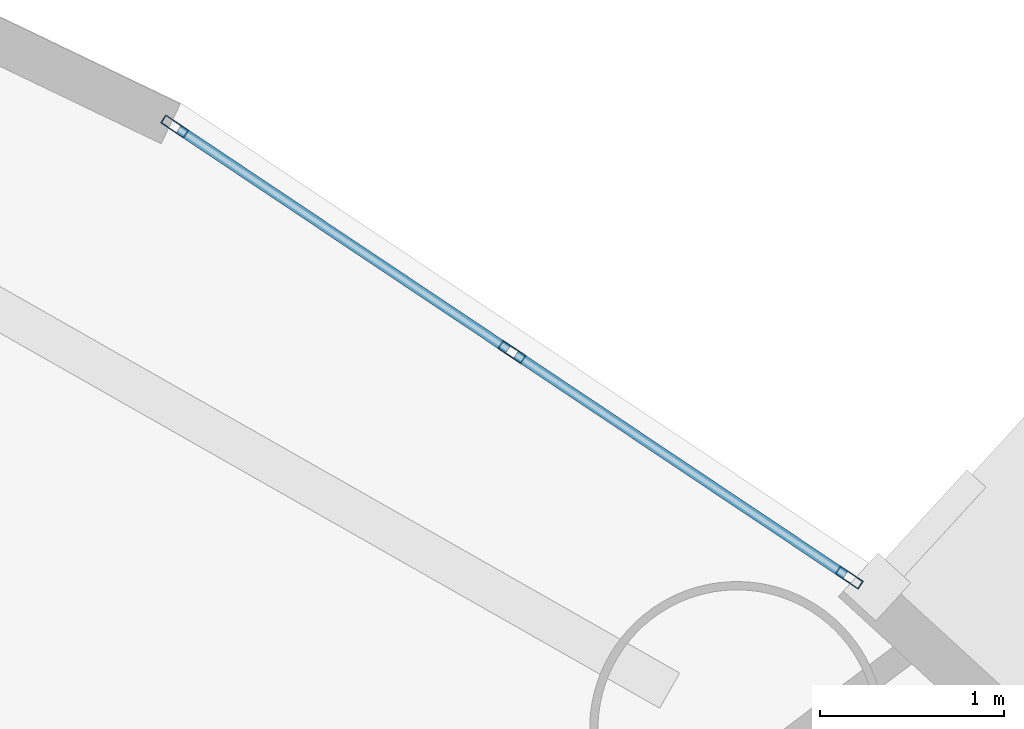
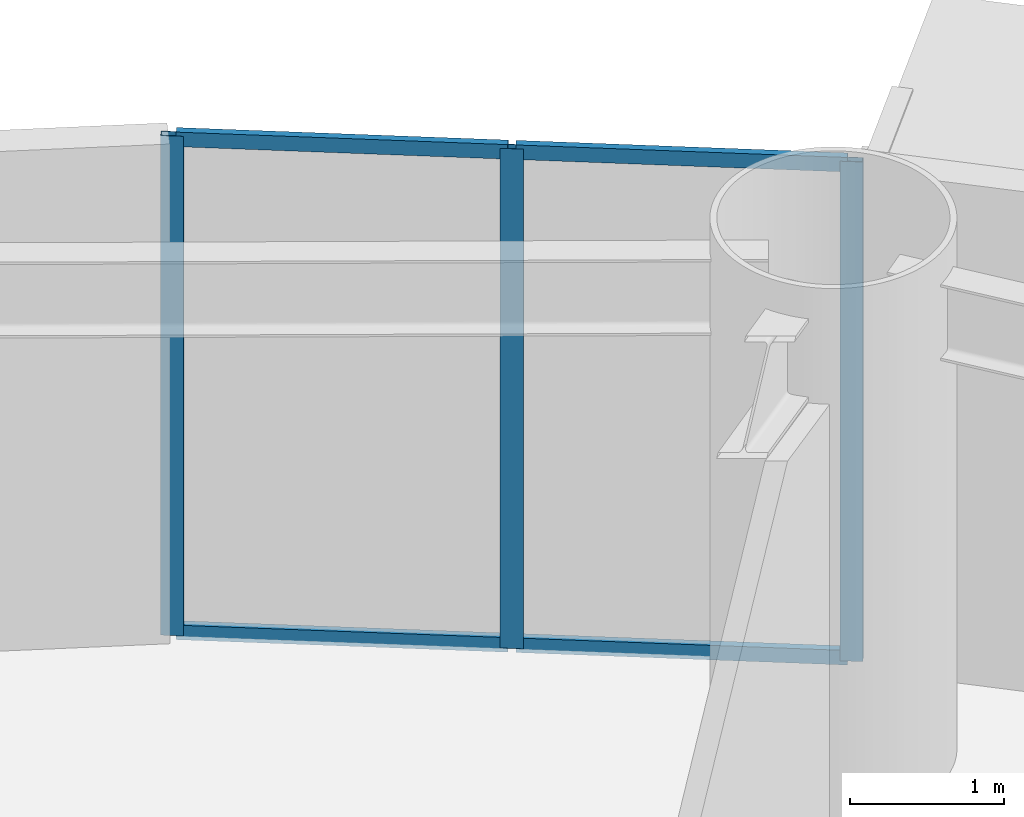
# One storey, part 5 of 24: 7 members, 1 element without a shape of its own.
"""IFC4 building model written with IfcOpenShell, lengths in metres."""

import ifcopenshell
import ifcopenshell.guid

model = None  # the IFC model being written
_history = None  # IfcOwnerHistory: only IFC2X3 demands one
_inside = {}  # id of a spatial element -> (the spatial element, [elements in it])
_under = {}  # id of a project, library or spatial element -> (it, [spatial elements below it])
_declared = {}  # id of a project -> (the project, [libraries it declares])
_typed = {}  # id of a type object -> (the type object, [elements of that type])
_made_of = {}  # id of a material, layer set ... -> (it, [elements and type objects made of it])


def new_model(schema):
    """Start an empty IFC model of exactly this schema.

    Asked for "IFC4X3", IfcOpenShell would pick the latest addendum, in which some entities
    have other attributes; the version numbers below select the first issue.
    IFC2X3 requires an IfcOwnerHistory on every rooted entity: one is made here for all.
    """
    global model, _history
    if schema == "IFC4X3":
        model = ifcopenshell.file(schema_version=(4, 3, 0, 0))
    else:
        model = ifcopenshell.file(schema=schema)
    _inside.clear()
    _under.clear()
    _declared.clear()
    _typed.clear()
    _made_of.clear()
    _history = None
    if model.schema == "IFC2X3":
        org = make("IfcOrganization", Name="unknown")
        user = make(
            "IfcPersonAndOrganization",
            ThePerson=make("IfcPerson", FamilyName="unknown"),
            TheOrganization=org,
        )
        app = make(
            "IfcApplication",
            ApplicationDeveloper=org,
            Version="unknown",
            ApplicationFullName="unknown",
            ApplicationIdentifier="unknown",
        )
        _history = make(
            "IfcOwnerHistory",
            OwningUser=user,
            OwningApplication=app,
            ChangeAction="ADDED",
            CreationDate=0,
        )
    return model


def make(cls, **values):
    """One entity of the class cls with the attributes given. An attribute that is None is left unset."""
    return model.create_entity(
        cls, **{name: value for name, value in values.items() if value is not None}
    )


def rooted(cls, **values):
    """An entity with a GlobalId (a new one), such as an element, a storey or a relation."""
    return make(cls, GlobalId=ifcopenshell.guid.new(), OwnerHistory=_history, **values)


def si_unit(unit_type, name, prefix=None):
    """IfcSIUnit, for example si_unit("LENGTHUNIT", "METRE", prefix="MILLI")."""
    return make("IfcSIUnit", UnitType=unit_type, Prefix=prefix, Name=name)


def assignment(units):
    """IfcUnitAssignment: the units of a project."""
    return None if units is None else make("IfcUnitAssignment", Units=units)


def point(xyz):
    """IfcCartesianPoint."""
    return None if xyz is None else make("IfcCartesianPoint", Coordinates=xyz)


def direction(xyz):
    """IfcDirection."""
    return None if xyz is None else make("IfcDirection", DirectionRatios=xyz)


def frame(location, z_axis=None, x_axis=None):
    """IfcAxis2Placement3D, a coordinate frame: its origin and axes. An axis left out is left unset."""
    return make(
        "IfcAxis2Placement3D",
        Location=point(location),
        Axis=direction(z_axis),
        RefDirection=direction(x_axis),
    )


def frame_2d(location, x_axis=None):
    """IfcAxis2Placement2D, a coordinate frame in the plane: its origin and x axis."""
    return make(
        "IfcAxis2Placement2D", Location=point(location), RefDirection=direction(x_axis)
    )


def origin():
    """The frame at (0, 0, 0) with its axes left unset."""
    return frame((0.0, 0.0, 0.0))


def origin_2d():
    """The frame at (0, 0) in the plane with its x axis left unset."""
    return frame_2d((0.0, 0.0))


def place(relative_to, where):
    """IfcLocalPlacement: puts the frame where relative to a parent placement (None: the world)."""
    return make(
        "IfcLocalPlacement", PlacementRelTo=relative_to, RelativePlacement=where
    )


def context(
    kind, dimensions, precision=None, world=None, true_north=None, identifier=None
):
    """IfcGeometricRepresentationContext, for example the 3D "Model" context."""
    return make(
        "IfcGeometricRepresentationContext",
        ContextIdentifier=identifier,
        ContextType=kind,
        CoordinateSpaceDimension=dimensions,
        Precision=precision,
        WorldCoordinateSystem=world,
        TrueNorth=true_north,
    )


def subcontext(parent, identifier, kind, view, scale=None):
    """IfcGeometricRepresentationSubContext, for example "Body" below "Model"."""
    return make(
        "IfcGeometricRepresentationSubContext",
        ContextIdentifier=identifier,
        ContextType=kind,
        ParentContext=parent,
        TargetScale=scale,
        TargetView=view,
    )


def project(units=None, contexts=None):
    """IfcProject with its units and contexts."""
    return rooted(
        "IfcProject",
        Name="project",
        RepresentationContexts=contexts,
        UnitsInContext=assignment(units),
    )


def spatial(cls, under=None, at=None, **own):
    """A site, building, storey or space (cls), placed at a placement, below another one or the project."""
    s = rooted(cls, ObjectPlacement=at, **own)
    if under is not None:
        _under.setdefault(under.id(), (under, []))[1].append(s)
    return s


def profile(cls, at=None, kind="AREA", **sizes):
    """A parametric profile (cls). Its sizes go by their IFC names, for example OverallWidth=200.0."""
    return make(cls, ProfileType=kind, Position=at, **sizes)


def hollow_rectangle(**sizes):
    """IfcRectangleHollowProfileDef."""
    return profile("IfcRectangleHollowProfileDef", **sizes)


def extrude(swept, where, along, depth):
    """IfcExtrudedAreaSolid: the profile swept, set in the frame where, extruded along a direction by depth."""
    return make(
        "IfcExtrudedAreaSolid",
        SweptArea=swept,
        Position=where,
        ExtrudedDirection=direction(along),
        Depth=depth,
    )


def shape(context_of_items, identifier, shape_type, items):
    """IfcShapeRepresentation: the items that make up one representation, for example the "Body"."""
    return make(
        "IfcShapeRepresentation",
        ContextOfItems=context_of_items,
        RepresentationIdentifier=identifier,
        RepresentationType=shape_type,
        Items=items,
    )


def source(mapping_origin, context_of_items, identifier, shape_type, items):
    """IfcRepresentationMap: a shape defined once, which mapped items show again and again."""
    return make(
        "IfcRepresentationMap",
        MappingOrigin=mapping_origin,
        MappedRepresentation=shape(context_of_items, identifier, shape_type, items),
    )


def transform(
    local_origin,
    x_axis=None,
    y_axis=None,
    z_axis=None,
    scale=None,
    scale2=None,
    scale3=None,
    uniform=True,
):
    """IfcCartesianTransformationOperator3D, or its non-uniform kind. x_axis, y_axis, z_axis: its Axis1, 2, 3."""
    if uniform:
        return make(
            "IfcCartesianTransformationOperator3D",
            Axis1=direction(x_axis),
            Axis2=direction(y_axis),
            LocalOrigin=point(local_origin),
            Scale=scale,
            Axis3=direction(z_axis),
        )
    return make(
        "IfcCartesianTransformationOperator3DnonUniform",
        Axis1=direction(x_axis),
        Axis2=direction(y_axis),
        LocalOrigin=point(local_origin),
        Scale=scale,
        Axis3=direction(z_axis),
        Scale2=scale2,
        Scale3=scale3,
    )


def mapped(mapping_source, mapping_target):
    """IfcMappedItem: shows the shape of a source again, moved by a transform."""
    return make(
        "IfcMappedItem", MappingSource=mapping_source, MappingTarget=mapping_target
    )


def material(Name=None, Category=None):
    """IfcMaterial."""
    return make("IfcMaterial", Name=Name, Category=Category)


def layer(
    of_material, thickness, ventilated=None, Name=None, Category=None, Priority=None
):
    """IfcMaterialLayer: one layer of a wall or slab, of a material (None: an air gap)."""
    return make(
        "IfcMaterialLayer",
        Material=of_material,
        LayerThickness=thickness,
        IsVentilated=ventilated,
        Name=Name,
        Category=Category,
        Priority=Priority,
    )


def layer_set(layers, Name=None):
    """IfcMaterialLayerSet."""
    return make("IfcMaterialLayerSet", MaterialLayers=layers, LayerSetName=Name)


def material_profile(
    of_material, cross_section, Name=None, Category=None, Priority=None
):
    """IfcMaterialProfile: a cross section and its material."""
    return make(
        "IfcMaterialProfile",
        Name=Name,
        Material=of_material,
        Profile=cross_section,
        Priority=Priority,
        Category=Category,
    )


def profile_set(profiles, Name=None, composite=None):
    """IfcMaterialProfileSet."""
    return make(
        "IfcMaterialProfileSet",
        Name=Name,
        MaterialProfiles=profiles,
        CompositeProfile=composite,
    )


def made_of(thing, what):
    """Note that an element or type object is made of a material, layer set ...; save() writes the relation."""
    if what is not None:
        _made_of.setdefault(what.id(), (what, []))[1].append(thing)
    return thing


def type_object(cls, material=None, **own):
    """A type object (cls), such as IfcWallType, which elements share."""
    return made_of(rooted(cls, **own), material)


def element(
    cls,
    number,
    at=None,
    inside=None,
    cuts=None,
    type_object=None,
    material=None,
    context=None,
    identifier="Body",
    shape_type=None,
    held_by="IfcProductDefinitionShape",
    body=None,
    shapes=None,
    **own,
):
    """One element of the class cls, such as IfcWall. Its Tag is "e" and its number.

    at: its placement. inside: the storey or other place that contains it. cuts: it is an
    opening in that element (IfcRelVoidsElement). A single representation is given by context,
    identifier, shape_type and body (its items); several are given by shapes. held_by: the class
    of the entity that holds the representations. save() writes the other relations.
    """
    e = rooted(cls, Tag="e%d" % number, ObjectPlacement=at, **own)
    if body is not None:
        shapes = [shape(context, identifier, shape_type, body)]
    if shapes is not None:
        e.Representation = make(held_by, Representations=shapes)
    if inside is not None:
        _inside.setdefault(inside.id(), (inside, []))[1].append(e)
    if cuts is not None:
        rooted(
            "IfcRelVoidsElement", RelatingBuildingElement=cuts, RelatedOpeningElement=e
        )
    if type_object is not None:
        _typed.setdefault(type_object.id(), (type_object, []))[1].append(e)
    return made_of(e, material)


def aggregate(whole, parts):
    """IfcRelAggregates: a whole, such as a stair, and the parts it consists of."""
    return rooted("IfcRelAggregates", RelatingObject=whole, RelatedObjects=parts)


def save(model, path):
    """Write the relations noted so far, then the file.

    IfcRelAggregates (storeys below a building ...), IfcRelContainedInSpatialStructure (elements
    in a storey), IfcRelDefinesByType, IfcRelAssociatesMaterial and IfcRelDeclares: one each for
    every whole, place, type object, material and project.
    """
    for whole, parts in _under.values():
        aggregate(whole, parts)
    for where, things in _inside.values():
        rooted(
            "IfcRelContainedInSpatialStructure",
            RelatedElements=things,
            RelatingStructure=where,
        )
    for kind, things in _typed.values():
        rooted("IfcRelDefinesByType", RelatedObjects=things, RelatingType=kind)
    for what, things in _made_of.values():
        rooted("IfcRelAssociatesMaterial", RelatedObjects=things, RelatingMaterial=what)
    for by, libraries in _declared.values():
        rooted("IfcRelDeclares", RelatingContext=by, RelatedDefinitions=libraries)
    model.write(path)


model = new_model("IFC4")

# Units and contexts
model_context = context("Model", 3, precision=1e-05, world=origin(), true_north=direction((0.0, 1.0)))
body_context = subcontext(model_context, "Body", "Model", "MODEL_VIEW")
ifc_project = project(units=[si_unit("LENGTHUNIT", "METRE"), si_unit("AREAUNIT", "SQUARE_METRE"), si_unit("VOLUMEUNIT", "CUBIC_METRE"), si_unit("PLANEANGLEUNIT", "RADIAN"), si_unit("MASSUNIT", "GRAM", prefix="KILO")], contexts=[model_context])

# Site, building, storey
site_placement = place(None, origin())
site = spatial("IfcSite", under=ifc_project, at=site_placement, CompositionType="ELEMENT")
building_placement = place(site_placement, origin())
building = spatial("IfcBuilding", under=site, at=building_placement, Name="Linh Dai School and Residence Tower", CompositionType="ELEMENT")
storey_placement = place(building_placement, frame((0.0, 0.0, 74.39990234375)))
storey = spatial("IfcBuildingStorey", under=building, at=storey_placement, Name="L17", CompositionType="ELEMENT", Elevation=74.39990234375)

# Curtain wall, members
ifc_material_1 = material(Name="Aluminium Anodised Curtain Wall", Category="aluminium")
ifc_layer = layer(ifc_material_1, 0.14990234375)
ifc_layer_set = layer_set([ifc_layer], Name="Aluminium Anodised Curtain Wall")
curtain_wall_type = type_object("IfcCurtainWallType", Name="CW-SYS-4", PredefinedType="USERDEFINED", material=ifc_layer_set)
curtain_wall_placement = place(storey_placement, origin())
curtain_wall = element("IfcCurtainWall", 1, at=curtain_wall_placement, inside=storey, type_object=curtain_wall_type, Name="L17 CW4 Curtain Wall 06", ObjectType="RIBBON CURTAIN WALL", PredefinedType="USERDEFINED")
ifc_material_2 = material(Name="Aluminium Alloy 6063-T6", Category="aluminium")
ifc_material_profile_1 = material_profile(ifc_material_2, hollow_rectangle(XDim=0.052001953125, YDim=0.114990234375, WallThickness=0.00390625, at=origin_2d()), Name="RHS 115x52x4")
ifc_profile_set_1 = profile_set([ifc_material_profile_1], Name="Aluminium Alloy 6063-T6")
member_type_1 = type_object("IfcMemberType", Name="CW-SYS-4-TRN", PredefinedType="USERDEFINED", material=ifc_profile_set_1)
shared_shape_1 = source(origin(), body_context, "Body", "SweptSolid", [
    extrude(hollow_rectangle(XDim=0.052001953125, YDim=0.114990234375, WallThickness=0.00390625, at=origin_2d()), origin(), (0.0, 0.0, 1.0), 2.152099609375),
])
member_1_placement = place(storey_placement, frame((54.3203125, 46.626708984375, 0.026123046875), z_axis=(0.831281601732, -0.555851507708, 0.0), x_axis=(0.555851507708, 0.831281601732, 0.0)))
member_1 = element("IfcMember", 2, at=member_1_placement, type_object=member_type_1, Name="CW4 transom 1.1", ObjectType="TRANSOM", PredefinedType="USERDEFINED", context=body_context, shape_type="MappedRepresentation", body=[
    mapped(shared_shape_1, transform((0.0, 0.0, 0.0), x_axis=(1.0, 0.0, 0.0), y_axis=(0.0, 1.0, 0.0), z_axis=(0.0, 0.0, 1.0), scale=1.0)),
])
member_2_placement = place(storey_placement, frame((54.3203125, 46.626708984375, 3.924072265625), z_axis=(0.831281601732, -0.555851507708, 0.0), x_axis=(0.555851507708, 0.831281601732, 0.0)))
member_2 = element("IfcMember", 3, at=member_2_placement, type_object=member_type_1, Name="CW4 transom 1.2", ObjectType="TRANSOM", PredefinedType="USERDEFINED", context=body_context, shape_type="MappedRepresentation", body=[
    mapped(shared_shape_1, transform((0.0, 0.0, 0.0), x_axis=(1.0, 0.0, 0.0), y_axis=(0.0, 1.0, 0.0), z_axis=(0.0, 0.0, 1.0), scale=1.0)),
])
shared_shape_2 = source(origin(), body_context, "Body", "SweptSolid", [
    extrude(hollow_rectangle(XDim=0.052001953125, YDim=0.114990234375, WallThickness=0.00390625, at=origin_2d()), origin(), (0.0, 0.0, 1.0), 2.15185546875),
])
member_3_placement = place(storey_placement, frame((56.152587890625, 45.4013671875, 0.026123046875), z_axis=(0.831246547398, -0.555903928245, 0.0), x_axis=(0.555903928245, 0.831246547398, 0.0)))
member_3 = element("IfcMember", 4, at=member_3_placement, type_object=member_type_1, Name="CW4 transom 2.1", ObjectType="TRANSOM", PredefinedType="USERDEFINED", context=body_context, shape_type="MappedRepresentation", body=[
    mapped(shared_shape_2, transform((0.0, 0.0, 0.0), x_axis=(1.0, 0.0, 0.0), y_axis=(0.0, 1.0, 0.0), z_axis=(0.0, 0.0, 1.0), scale=1.0)),
])
member_4_placement = place(storey_placement, frame((56.152587890625, 45.4013671875, 3.924072265625), z_axis=(0.831246547398, -0.555903928245, 0.0), x_axis=(0.555903928245, 0.831246547398, 0.0)))
member_4 = element("IfcMember", 5, at=member_4_placement, type_object=member_type_1, Name="CW4 transom 2.2", ObjectType="TRANSOM", PredefinedType="USERDEFINED", context=body_context, shape_type="MappedRepresentation", body=[
    mapped(shared_shape_2, transform((0.0, 0.0, 0.0), x_axis=(1.0, 0.0, 0.0), y_axis=(0.0, 1.0, 0.0), z_axis=(0.0, 0.0, 1.0), scale=1.0)),
])
ifc_material_profile_2 = material_profile(ifc_material_2, hollow_rectangle(XDim=0.052001953125, YDim=0.14990234375, WallThickness=0.00390625, at=origin_2d()), Name="RHS 150x52x4")
ifc_profile_set_2 = profile_set([ifc_material_profile_2], Name="Aluminium Alloy 6063-T6")
member_type_2 = type_object("IfcMemberType", Name="CW-SYS-4-MUL", PredefinedType="MULLION", material=ifc_profile_set_2)
shared_shape_3 = source(origin(), body_context, "Body", "SweptSolid", [
    extrude(hollow_rectangle(XDim=0.052001953125, YDim=0.14990234375, WallThickness=0.00390625, at=origin_2d()), origin(), (0.0, 0.0, 1.0), 3.9501953125),
])
member_5_placement = place(storey_placement, frame((54.298583984375, 46.64111328125, 0.0), z_axis=(0.0, 0.0, 1.0), x_axis=(0.555897899828, 0.831250578927, 0.0)))
member_5 = element("IfcMember", 6, at=member_5_placement, type_object=member_type_2, Name="CW4 mullion 1", PredefinedType="MULLION", context=body_context, shape_type="MappedRepresentation", body=[
    mapped(shared_shape_3, transform((0.0, 0.0, 0.0), x_axis=(1.0, 0.0, 0.0), y_axis=(0.0, 1.0, 0.0), z_axis=(0.0, 0.0, 1.0), scale=1.0)),
])
member_6_placement = place(storey_placement, frame((56.130859375, 45.416015625, 0.0), z_axis=(0.0, 0.0, 1.0), x_axis=(0.555897899828, 0.831250578927, 0.0)))
member_6 = element("IfcMember", 7, at=member_6_placement, type_object=member_type_2, Name="CW4 mullion 2", PredefinedType="MULLION", context=body_context, shape_type="MappedRepresentation", body=[
    mapped(shared_shape_3, transform((0.0, 0.0, 0.0), x_axis=(1.0, 0.0, 0.0), y_axis=(0.0, 1.0, 0.0), z_axis=(0.0, 0.0, 1.0), scale=1.0)),
])
member_7_placement = place(storey_placement, frame((57.963134765625, 44.190673828125, 0.0), z_axis=(0.0, 0.0, 1.0), x_axis=(0.555897899828, 0.831250578927, 0.0)))
member_7 = element("IfcMember", 8, at=member_7_placement, type_object=member_type_2, Name="CW4 mullion 3", PredefinedType="MULLION", context=body_context, shape_type="MappedRepresentation", body=[
    mapped(shared_shape_3, transform((0.0, 0.0, 0.0), x_axis=(1.0, 0.0, 0.0), y_axis=(0.0, 1.0, 0.0), z_axis=(0.0, 0.0, 1.0), scale=1.0)),
])
aggregate(curtain_wall, [member_5, member_6, member_7, member_1, member_2, member_3, member_4])

save(model, "model.ifc")
